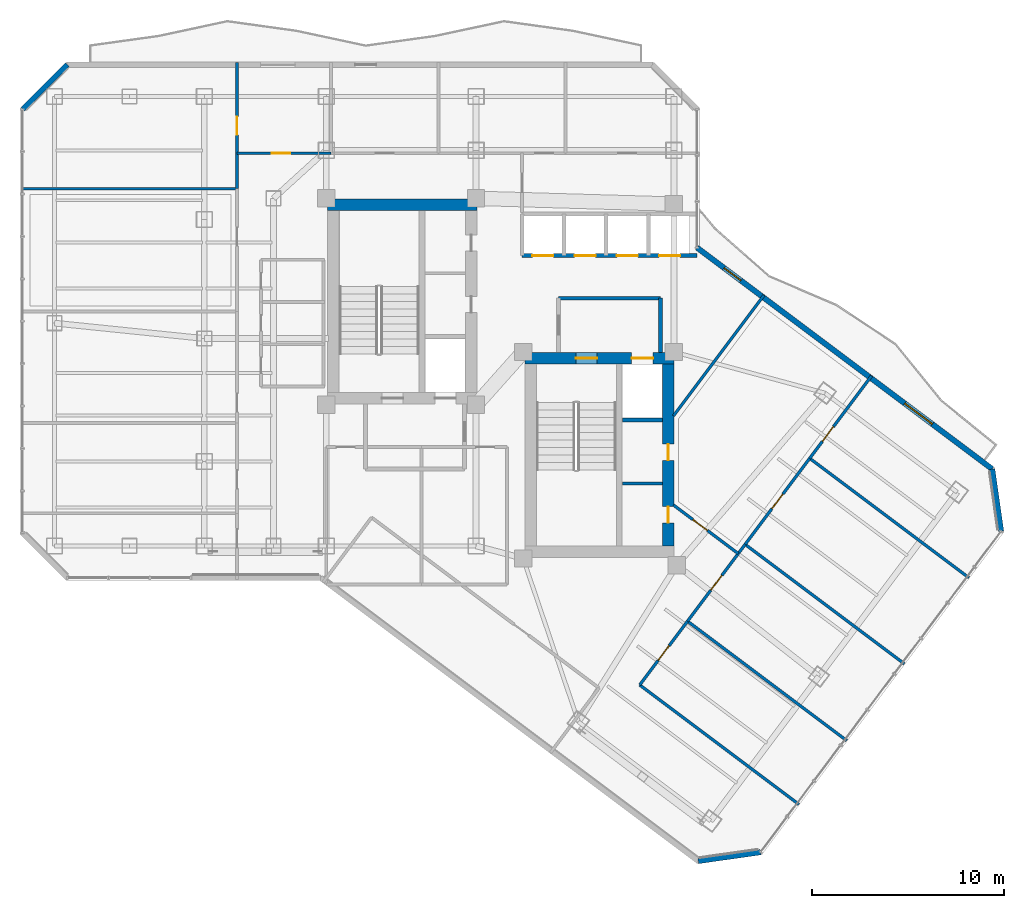
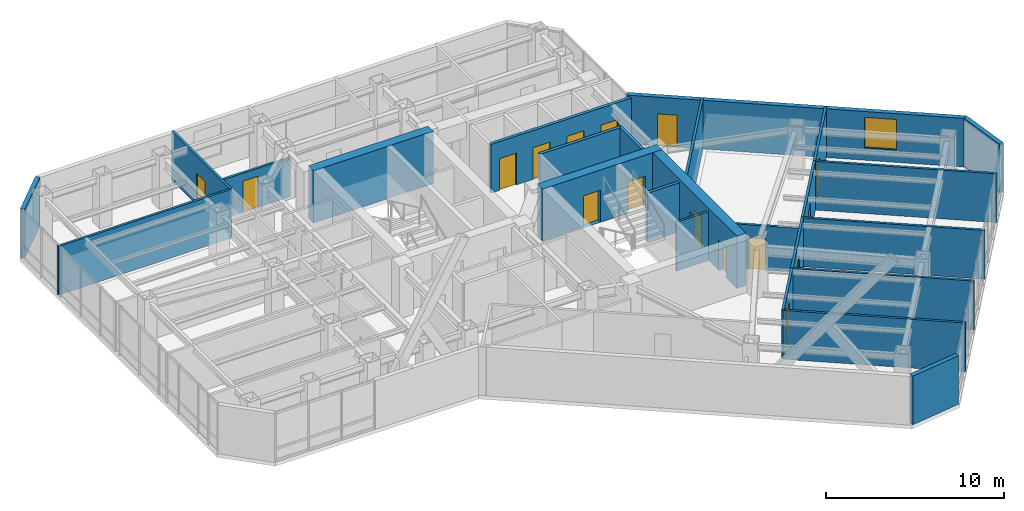
# One storey, part 23 of 27: 25 walls, 16 doors, 1 window, 17 openings.
"""IFC4 building model written with IfcOpenShell, lengths in metres."""

from ifc_helpers import new_model, si_unit, direction, frame, frame_2d, origin, place, context, subcontext, project, spatial, rectangle, extrude, material, layer, layer_set, type_object, element, fill, save


model = new_model("IFC4")

# Units and contexts
model_context = context("Model", 3, precision=1e-05, world=origin(), true_north=direction((0.0, 1.0)))
body_context = subcontext(model_context, "Body", "Model", "MODEL_VIEW")
ifc_project = project(units=[si_unit("LENGTHUNIT", "METRE"), si_unit("AREAUNIT", "SQUARE_METRE"), si_unit("VOLUMEUNIT", "CUBIC_METRE"), si_unit("PLANEANGLEUNIT", "RADIAN"), si_unit("MASSUNIT", "GRAM", prefix="KILO")], contexts=[model_context])

# Site, building, storey
site_placement = place(None, origin())
site = spatial("IfcSite", under=ifc_project, at=site_placement, CompositionType="ELEMENT")
building_placement = place(site_placement, origin())
building = spatial("IfcBuilding", under=site, at=building_placement, Name="Hatsunagi Terrace Concourse", CompositionType="ELEMENT")
storey_placement = place(building_placement, frame((0.0, 0.0, 145.64990234375)))
storey = spatial("IfcBuildingStorey", under=building, at=storey_placement, Name="L38", CompositionType="ELEMENT", Elevation=145.64990234375)

# Wall
ifc_material_1 = material(Name="Concrete Fc48", Category="concrete")
ifc_layer_1 = layer(ifc_material_1, 0.60009765625)
ifc_layer_set_1 = layer_set([ifc_layer_1], Name="CoreShearWall_Fc48_600")
wall_type_1 = type_object("IfcWallType", Name="CoreShearWall_Fc48_600", PredefinedType="SHEAR", material=ifc_layer_set_1)
wall_1_placement = place(storey_placement, frame((25.6201171875, 42.969970703125, 0.0), z_axis=(0.0, 0.0, 1.0), x_axis=(1.0, 0.0, 0.0)))
element("IfcWall", 1, at=wall_1_placement, inside=storey, type_object=wall_type_1, Name="Core A Shear Wall N L38", PredefinedType="SHEAR", context=body_context, shape_type="SweptSolid", body=[
    extrude(rectangle(XDim=7.77978515625, YDim=0.60009765625, at=frame_2d((3.889892578125, 0.0))), origin(), (0.0, 0.0, 1.0), 3.60009765625),
])

# Wall, openings, doors
wall_2_placement = place(storey_placement, frame((35.889892578125, 34.969970703125, 0.0), z_axis=(0.0, 0.0, 1.0), x_axis=(1.0, 0.0, 0.0)))
wall_2 = element("IfcWall", 2, at=wall_2_placement, inside=storey, type_object=wall_type_1, Name="Core B Shear Wall N L38", PredefinedType="SHEAR", context=body_context, shape_type="SweptSolid", body=[
    extrude(rectangle(XDim=7.760009765625, YDim=0.60009765625, at=frame_2d((3.8798828125, 0.0))), origin(), (0.0, 0.0, 1.0), 3.60009765625),
])
opening_1_placement = place(wall_2_placement, frame((2.659912109375, 0.0, 0.0)))
opening_1 = element("IfcOpeningElement", 3, at=opening_1_placement, cuts=wall_2, Name="Opening DR-110S", PredefinedType="OPENING", context=body_context, shape_type="SweptSolid", body=[
    extrude(rectangle(XDim=1.10009765625, YDim=2.199951171875, at=frame_2d((0.550048828125, 1.10009765625))), frame((0.0, 0.31005859375, 0.0), z_axis=(0.0, -1.0, 0.0), x_axis=(1.0, 0.0, 0.0)), (0.0, 0.0, 1.0), 0.6201171875),
])
opening_2_placement = place(wall_2_placement, frame((5.56005859375, 0.0, 0.0)))
opening_2 = element("IfcOpeningElement", 4, at=opening_2_placement, cuts=wall_2, Name="Opening LD-02", PredefinedType="OPENING", context=body_context, shape_type="SweptSolid", body=[
    extrude(rectangle(XDim=1.1201171875, YDim=2.14990234375, at=frame_2d((0.56005859375, 1.074951171875))), frame((0.0, 0.31005859375, 0.0), z_axis=(0.0, -1.0, 0.0), x_axis=(1.0, 0.0, 0.0)), (0.0, 0.0, 1.0), 0.6201171875),
])
ifc_material_2 = material(Name="Stainless steel", Category="steel")
door_type_1 = type_object("IfcDoorType", Name="LiftLandingDoor_LD02", OperationType="SLIDING_TO_RIGHT", PredefinedType="USERDEFINED", material=ifc_material_2)
door_1_placement = place(opening_2_placement, origin())
door_1 = element("IfcDoor", 5, at=door_1_placement, inside=storey, type_object=door_type_1, Name="Lift landing door FF-02 L38", ObjectType="SLIDING_LANDING_DOOR", OperationType="SLIDING_TO_RIGHT", OverallHeight=2.14990234375, OverallWidth=1.1201171875, PredefinedType="USERDEFINED", context=body_context, shape_type="SweptSolid", body=[
    extrude(rectangle(XDim=1.1201171875, YDim=2.14990234375, at=frame_2d((0.56005859375, 1.074951171875))), frame((0.0, 0.02490234375, 0.0), z_axis=(0.0, -1.0, 0.0), x_axis=(1.0, 0.0, 0.0)), (0.0, 0.0, 1.0), 0.050048828125),
])
fill(opening_2, door_1)
ifc_material_3 = material(Name="Painted steel", Category="steel")
door_type_2 = type_object("IfcDoorType", Name="StairFireDoor_EI60_1100", OperationType="NOTDEFINED", PredefinedType="DOOR", material=ifc_material_3)
door_2_placement = place(opening_1_placement, origin())
door_2 = element("IfcDoor", 6, at=door_2_placement, inside=storey, type_object=door_type_2, Name="Stair ST-B Exit Door L38", OperationType="SINGLE_SWING_RIGHT", OverallHeight=2.199951171875, OverallWidth=1.10009765625, PredefinedType="DOOR", context=body_context, shape_type="SweptSolid", body=[
    extrude(rectangle(XDim=1.10009765625, YDim=2.199951171875, at=frame_2d((0.550048828125, 1.10009765625))), frame((0.0, 0.02490234375, 0.0), z_axis=(0.0, -1.0, 0.0), x_axis=(1.0, 0.0, 0.0)), (0.0, 0.0, 1.0), 0.050048828125),
])
fill(opening_1, door_2)

wall_3_placement = place(storey_placement, frame((43.35009765625, 25.18994140625, 0.0), z_axis=(0.0, 0.0, 1.0), x_axis=(0.0, 1.0, 0.0)))
wall_3 = element("IfcWall", 7, at=wall_3_placement, inside=storey, type_object=wall_type_1, Name="Core B Shear Wall E L38", PredefinedType="SHEAR", context=body_context, shape_type="SweptSolid", body=[
    extrude(rectangle(XDim=9.47998046875, YDim=0.60009765625, at=frame_2d((4.739990234375, 0.0))), origin(), (0.0, 0.0, 1.0), 3.60009765625),
])
opening_3_placement = place(wall_3_placement, frame((1.2099609375, 0.0, 0.0)))
opening_3 = element("IfcOpeningElement", 8, at=opening_3_placement, cuts=wall_3, Name="Opening DR-085", PredefinedType="OPENING", context=body_context, shape_type="SweptSolid", body=[
    extrude(rectangle(XDim=0.85009765625, YDim=2.080078125, at=frame_2d((0.425048828125, 1.0400390625))), frame((0.0, 0.31005859375, 0.0), z_axis=(0.0, -1.0, 0.0), x_axis=(1.0, 0.0, 0.0)), (0.0, 0.0, 1.0), 0.6201171875),
])
opening_4_placement = place(wall_3_placement, frame((4.4599609375, 0.0, 0.0)))
opening_4 = element("IfcOpeningElement", 9, at=opening_4_placement, cuts=wall_3, Name="Opening DR-085", PredefinedType="OPENING", context=body_context, shape_type="SweptSolid", body=[
    extrude(rectangle(XDim=0.85009765625, YDim=2.080078125, at=frame_2d((0.425048828125, 1.0400390625))), frame((0.0, 0.31005859375, 0.0), z_axis=(0.0, -1.0, 0.0), x_axis=(1.0, 0.0, 0.0)), (0.0, 0.0, 1.0), 0.6201171875),
])
ifc_material_4 = material(Name="Painted steel", Category="steel")
door_type_3 = type_object("IfcDoorType", Name="RiserAccessDoor_EI60_850", OperationType="NOTDEFINED", PredefinedType="DOOR", material=ifc_material_4)
door_3_placement = place(opening_3_placement, origin())
door_3 = element("IfcDoor", 10, at=door_3_placement, inside=storey, type_object=door_type_3, Name="Core B Riser Door L38-1", OperationType="SINGLE_SWING_RIGHT", OverallHeight=2.080078125, OverallWidth=0.85009765625, PredefinedType="DOOR", context=body_context, shape_type="SweptSolid", body=[
    extrude(rectangle(XDim=0.85009765625, YDim=2.080078125, at=frame_2d((0.425048828125, 1.0400390625))), frame((0.0, 0.02490234375, 0.0), z_axis=(0.0, -1.0, 0.0), x_axis=(1.0, 0.0, 0.0)), (0.0, 0.0, 1.0), 0.050048828125),
])
fill(opening_3, door_3)
door_4_placement = place(opening_4_placement, origin())
door_4 = element("IfcDoor", 11, at=door_4_placement, inside=storey, type_object=door_type_3, Name="Core B Riser Door L38-2", OperationType="SINGLE_SWING_RIGHT", OverallHeight=2.080078125, OverallWidth=0.85009765625, PredefinedType="DOOR", context=body_context, shape_type="SweptSolid", body=[
    extrude(rectangle(XDim=0.85009765625, YDim=2.080078125, at=frame_2d((0.425048828125, 1.0400390625))), frame((0.0, 0.02490234375, 0.0), z_axis=(0.0, -1.0, 0.0), x_axis=(1.0, 0.0, 0.0)), (0.0, 0.0, 1.0), 0.050048828125),
])
fill(opening_4, door_4)

# Walls
ifc_material_5 = material(Name="Acoustic mineral board", Category="gypsum")
ifc_layer_2 = layer(ifc_material_5, 0.14990234375)
ifc_layer_set_2 = layer_set([ifc_layer_2], Name="PartitionWall_EI60_150")
wall_type_2 = type_object("IfcWallType", Name="PartitionWall_EI60_150", PredefinedType="PARTITIONING", material=ifc_layer_set_2)
wall_4_placement = place(storey_placement, frame((40.969970703125, 28.449951171875, 0.0), z_axis=(0.0, 0.0, 1.0), x_axis=(1.0, 0.0, 0.0)))
element("IfcWall", 12, at=wall_4_placement, inside=storey, type_object=wall_type_2, Name="Interior Partition IW-L38-004", PredefinedType="PARTITIONING", context=body_context, shape_type="SweptSolid", body=[
    extrude(rectangle(XDim=2.080078125, YDim=0.14990234375, at=frame_2d((1.0400390625, 0.0))), origin(), (0.0, 0.0, 1.0), 3.35009765625),
])
wall_5_placement = place(storey_placement, frame((9.639892578125, 43.800048828125, 0.0), z_axis=(0.0, 0.0, 1.0), x_axis=(1.0, 0.0, 0.0)))
element("IfcWall", 13, at=wall_5_placement, inside=storey, type_object=wall_type_2, Name="Interior Partition IW-L38-038", PredefinedType="PARTITIONING", context=body_context, shape_type="SweptSolid", body=[
    extrude(rectangle(XDim=11.260009765625, YDim=0.14990234375, at=frame_2d((5.6298828125, 0.0))), origin(), (0.0, 0.0, 1.0), 3.35009765625),
])

# Wall, opening, door
wall_6_placement = place(storey_placement, frame((20.89990234375, 43.800048828125, 0.0), z_axis=(0.0, 0.0, 1.0), x_axis=(0.0, 1.0, 0.0)))
wall_6 = element("IfcWall", 14, at=wall_6_placement, inside=storey, type_object=wall_type_2, Name="Interior Partition IW-L38-040", PredefinedType="PARTITIONING", context=body_context, shape_type="SweptSolid", body=[
    extrude(rectangle(XDim=6.56005859375, YDim=0.14990234375, at=frame_2d((3.280029296875, 0.0))), origin(), (0.0, 0.0, 1.0), 3.35009765625),
])
opening_5_placement = place(wall_6_placement, frame((2.804931640625, 0.0, 0.0)))
opening_5 = element("IfcOpeningElement", 15, at=opening_5_placement, cuts=wall_6, Name="Opening DR-095", PredefinedType="OPENING", context=body_context, shape_type="SweptSolid", body=[
    extrude(rectangle(XDim=0.949951171875, YDim=2.14990234375, at=frame_2d((0.47509765625, 1.074951171875))), frame((0.0, 0.0849609375, 0.0), z_axis=(0.0, -1.0, 0.0), x_axis=(1.0, 0.0, 0.0)), (0.0, 0.0, 1.0), 0.169921875),
])
ifc_material_6 = material(Name="Hardwood timber", Category="wood")
door_type_4 = type_object("IfcDoorType", Name="InteriorSuiteDoor_EI30_950", OperationType="NOTDEFINED", PredefinedType="DOOR", material=ifc_material_6)
door_5_placement = place(opening_5_placement, origin())
door_5 = element("IfcDoor", 16, at=door_5_placement, inside=storey, type_object=door_type_4, Name="Team Innovation Studio L38-OW5 Door", OperationType="SINGLE_SWING_RIGHT", OverallHeight=2.14990234375, OverallWidth=0.949951171875, PredefinedType="DOOR", context=body_context, shape_type="SweptSolid", body=[
    extrude(rectangle(XDim=0.949951171875, YDim=2.14990234375, at=frame_2d((0.47509765625, 1.074951171875))), frame((0.0, 0.02490234375, 0.0), z_axis=(0.0, -1.0, 0.0), x_axis=(1.0, 0.0, 0.0)), (0.0, 0.0, 1.0), 0.050048828125),
])
fill(opening_5, door_5)

wall_7_placement = place(storey_placement, frame((20.89990234375, 45.64990234375, 0.0), z_axis=(0.0, 0.0, 1.0), x_axis=(1.0, 0.0, 0.0)))
wall_7 = element("IfcWall", 17, at=wall_7_placement, inside=storey, type_object=wall_type_2, Name="Interior Partition IW-L38-041", PredefinedType="PARTITIONING", context=body_context, shape_type="SweptSolid", body=[
    extrude(rectangle(XDim=4.900146484375, YDim=0.14990234375, at=frame_2d((2.4501953125, 0.0))), origin(), (0.0, 0.0, 1.0), 2.695068359375),
])
opening_6_placement = place(wall_7_placement, frame((1.81591796875, 0.0, 0.0)))
opening_6 = element("IfcOpeningElement", 18, at=opening_6_placement, cuts=wall_7, Name="Opening DR-095", PredefinedType="OPENING", context=body_context, shape_type="SweptSolid", body=[
    extrude(rectangle(XDim=0.949951171875, YDim=2.14990234375, at=frame_2d((0.47509765625, 1.074951171875))), frame((0.0, 0.0849609375, 0.0), z_axis=(0.0, -1.0, 0.0), x_axis=(1.0, 0.0, 0.0)), (0.0, 0.0, 1.0), 0.169921875),
])
door_6_placement = place(opening_6_placement, origin())
door_6 = element("IfcDoor", 19, at=door_6_placement, inside=storey, type_object=door_type_4, Name="Executive Briefing Room L38-ON1 Door", OperationType="SINGLE_SWING_LEFT", OverallHeight=2.14990234375, OverallWidth=0.949951171875, PredefinedType="DOOR", context=body_context, shape_type="SweptSolid", body=[
    extrude(rectangle(XDim=0.949951171875, YDim=2.14990234375, at=frame_2d((0.47509765625, 1.074951171875))), frame((0.0, 0.02490234375, 0.0), z_axis=(0.0, -1.0, 0.0), x_axis=(1.0, 0.0, 0.0)), (0.0, 0.0, 1.0), 0.050048828125),
])
fill(opening_6, door_6)

# Walls
for number, where, z_axis, x_axis, name in (
    (20, (41.8701171875, 17.9599609375, 0.0), (0.0, 0.0, 1.0), (0.799991516197, -0.600011311571, 0.0), "Interior Partition IW-L38-048"),
    (21, (44.360107421875, 21.280029296875, 0.0), (0.0, 0.0, 1.0), (0.799991516197, -0.600011311571, 0.0), "Interior Partition IW-L38-049"),
):
    element("IfcWall", number, at=place(storey_placement, frame(where, z_axis=z_axis, x_axis=x_axis)), inside=storey, type_object=wall_type_2, Name=name, PredefinedType="PARTITIONING", context=body_context, shape_type="SweptSolid", body=[
        extrude(rectangle(XDim=10.35986328125, YDim=0.14990234375, at=frame_2d((5.179931640625, 0.0))), origin(), (0.0, 0.0, 1.0), 3.35009765625),
    ])

# Wall, opening, door
wall_8_placement = place(storey_placement, frame((41.8701171875, 17.9599609375, 0.0), z_axis=(0.0, 0.0, 1.0), x_axis=(0.599990587419, 0.80000705935, 0.0)))
wall_8 = element("IfcWall", 22, at=wall_8_placement, inside=storey, type_object=wall_type_2, Name="Interior Partition IW-L38-050", PredefinedType="PARTITIONING", context=body_context, shape_type="SweptSolid", body=[
    extrude(rectangle(XDim=4.150146484375, YDim=0.14990234375, at=frame_2d((2.0751953125, 0.0))), origin(), (0.0, 0.0, 1.0), 3.35009765625),
])
opening_7_placement = place(wall_8_placement, frame((1.60009765625, 0.0, 0.0)))
opening_7 = element("IfcOpeningElement", 23, at=opening_7_placement, cuts=wall_8, Name="Opening DR-095", PredefinedType="OPENING", context=body_context, shape_type="SweptSolid", body=[
    extrude(rectangle(XDim=0.949951171875, YDim=2.14990234375, at=frame_2d((0.47509765625, 1.074951171875))), frame((0.0, 0.0849609375, 0.0), z_axis=(0.0, -1.0, 0.0), x_axis=(1.0, 0.0, 0.0)), (0.0, 0.0, 1.0), 0.169921875),
])
door_7_placement = place(opening_7_placement, origin())
door_7 = element("IfcDoor", 24, at=door_7_placement, inside=storey, type_object=door_type_4, Name="Focus Room L38-OSE1 Door", OperationType="SINGLE_SWING_RIGHT", OverallHeight=2.14990234375, OverallWidth=0.949951171875, PredefinedType="DOOR", context=body_context, shape_type="SweptSolid", body=[
    extrude(rectangle(XDim=0.949951171875, YDim=2.14990234375, at=frame_2d((0.47509765625, 1.074951171875))), frame((0.0, 0.02490234375, 0.0), z_axis=(0.0, -1.0, 0.0), x_axis=(1.0, 0.0, 0.0)), (0.0, 0.0, 1.0), 0.050048828125),
])
fill(opening_7, door_7)

# Wall
wall_9_placement = place(storey_placement, frame((47.360107421875, 25.280029296875, 0.0), z_axis=(0.0, 0.0, 1.0), x_axis=(0.799991516197, -0.600011311571, 0.0)))
element("IfcWall", 25, at=wall_9_placement, inside=storey, type_object=wall_type_2, Name="Interior Partition IW-L38-051", PredefinedType="PARTITIONING", context=body_context, shape_type="SweptSolid", body=[
    extrude(rectangle(XDim=10.35986328125, YDim=0.14990234375, at=frame_2d((5.179931640625, 0.0))), origin(), (0.0, 0.0, 1.0), 3.35009765625),
])

# Wall, opening, door
wall_10_placement = place(storey_placement, frame((44.360107421875, 21.280029296875, 0.0), z_axis=(0.0, 0.0, 1.0), x_axis=(0.6, 0.8, 0.0)))
wall_10 = element("IfcWall", 26, at=wall_10_placement, inside=storey, type_object=wall_type_2, Name="Interior Partition IW-L38-052", PredefinedType="PARTITIONING", context=body_context, shape_type="SweptSolid", body=[
    extrude(rectangle(XDim=5.0, YDim=0.14990234375, at=frame_2d((2.5, 0.0))), origin(), (0.0, 0.0, 1.0), 3.35009765625),
])
opening_8_placement = place(wall_10_placement, frame((2.02490234375, 0.0, 0.0)))
opening_8 = element("IfcOpeningElement", 27, at=opening_8_placement, cuts=wall_10, Name="Opening DR-095", PredefinedType="OPENING", context=body_context, shape_type="SweptSolid", body=[
    extrude(rectangle(XDim=0.949951171875, YDim=2.14990234375, at=frame_2d((0.47509765625, 1.074951171875))), frame((0.0, 0.0849609375, 0.0), z_axis=(0.0, -1.0, 0.0), x_axis=(1.0, 0.0, 0.0)), (0.0, 0.0, 1.0), 0.169921875),
])
door_8_placement = place(opening_8_placement, origin())
door_8 = element("IfcDoor", 28, at=door_8_placement, inside=storey, type_object=door_type_4, Name="Executive Office L38-OSE2 Door", OperationType="SINGLE_SWING_RIGHT", OverallHeight=2.14990234375, OverallWidth=0.949951171875, PredefinedType="DOOR", context=body_context, shape_type="SweptSolid", body=[
    extrude(rectangle(XDim=0.949951171875, YDim=2.14990234375, at=frame_2d((0.47509765625, 1.074951171875))), frame((0.0, 0.02490234375, 0.0), z_axis=(0.0, -1.0, 0.0), x_axis=(1.0, 0.0, 0.0)), (0.0, 0.0, 1.0), 0.050048828125),
])
fill(opening_8, door_8)

# Wall
wall_11_placement = place(storey_placement, frame((50.719970703125, 29.760009765625, 0.0), z_axis=(0.0, 0.0, 1.0), x_axis=(0.8, -0.6, 0.0)))
element("IfcWall", 29, at=wall_11_placement, inside=storey, type_object=wall_type_2, Name="Interior Partition IW-L38-053", PredefinedType="PARTITIONING", context=body_context, shape_type="SweptSolid", body=[
    extrude(rectangle(XDim=10.360107421875, YDim=0.14990234375, at=frame_2d((5.18017578125, 0.0))), origin(), (0.0, 0.0, 1.0), 3.35009765625),
])

# Wall, opening, door
wall_12_placement = place(storey_placement, frame((47.360107421875, 25.280029296875, 0.0), z_axis=(0.0, 0.0, 1.0), x_axis=(0.599986048773, 0.80001046323, 0.0)))
wall_12 = element("IfcWall", 30, at=wall_12_placement, inside=storey, type_object=wall_type_2, Name="Interior Partition IW-L38-054", PredefinedType="PARTITIONING", context=body_context, shape_type="SweptSolid", body=[
    extrude(rectangle(XDim=5.599853515625, YDim=0.14990234375, at=frame_2d((2.7998046875, 0.0))), origin(), (0.0, 0.0, 1.0), 3.35009765625),
])
opening_9_placement = place(wall_12_placement, frame((2.324951171875, 0.0, 0.0)))
opening_9 = element("IfcOpeningElement", 31, at=opening_9_placement, cuts=wall_12, Name="Opening DR-095", PredefinedType="OPENING", context=body_context, shape_type="SweptSolid", body=[
    extrude(rectangle(XDim=0.949951171875, YDim=2.14990234375, at=frame_2d((0.47509765625, 1.074951171875))), frame((0.0, 0.0849609375, 0.0), z_axis=(0.0, -1.0, 0.0), x_axis=(1.0, 0.0, 0.0)), (0.0, 0.0, 1.0), 0.169921875),
])
door_9_placement = place(opening_9_placement, origin())
door_9 = element("IfcDoor", 32, at=door_9_placement, inside=storey, type_object=door_type_4, Name="Meeting Room L38-OSE3 Door", OperationType="SINGLE_SWING_RIGHT", OverallHeight=2.14990234375, OverallWidth=0.949951171875, PredefinedType="DOOR", context=body_context, shape_type="SweptSolid", body=[
    extrude(rectangle(XDim=0.949951171875, YDim=2.14990234375, at=frame_2d((0.47509765625, 1.074951171875))), frame((0.0, 0.02490234375, 0.0), z_axis=(0.0, -1.0, 0.0), x_axis=(1.0, 0.0, 0.0)), (0.0, 0.0, 1.0), 0.050048828125),
])
fill(opening_9, door_9)

wall_13_placement = place(storey_placement, frame((50.719970703125, 29.760009765625, 0.0), z_axis=(0.0, 0.0, 1.0), x_axis=(0.6, 0.8, 0.0)))
wall_13 = element("IfcWall", 33, at=wall_13_placement, inside=storey, type_object=wall_type_2, Name="Interior Partition IW-L38-055", PredefinedType="PARTITIONING", context=body_context, shape_type="SweptSolid", body=[
    extrude(rectangle(XDim=5.360107421875, YDim=0.14990234375, at=frame_2d((2.68017578125, 0.0))), origin(), (0.0, 0.0, 1.0), 3.35009765625),
])
opening_10_placement = place(wall_13_placement, frame((1.110107421875, 0.0, 0.0)))
opening_10 = element("IfcOpeningElement", 34, at=opening_10_placement, cuts=wall_13, Name="Opening DR-095", PredefinedType="OPENING", context=body_context, shape_type="SweptSolid", body=[
    extrude(rectangle(XDim=0.949951171875, YDim=2.14990234375, at=frame_2d((0.47509765625, 1.074951171875))), frame((0.0, 0.0849609375, 0.0), z_axis=(0.0, -1.0, 0.0), x_axis=(1.0, 0.0, 0.0)), (0.0, 0.0, 1.0), 0.169921875),
])
door_10_placement = place(opening_10_placement, origin())
door_10 = element("IfcDoor", 35, at=door_10_placement, inside=storey, type_object=door_type_4, Name="Design Studio L38-OSE4 Door", OperationType="SINGLE_SWING_RIGHT", OverallHeight=2.14990234375, OverallWidth=0.949951171875, PredefinedType="DOOR", context=body_context, shape_type="SweptSolid", body=[
    extrude(rectangle(XDim=0.949951171875, YDim=2.14990234375, at=frame_2d((0.47509765625, 1.074951171875))), frame((0.0, 0.02490234375, 0.0), z_axis=(0.0, -1.0, 0.0), x_axis=(1.0, 0.0, 0.0)), (0.0, 0.0, 1.0), 0.050048828125),
])
fill(opening_10, door_10)

wall_14_placement = place(storey_placement, frame((43.6298828125, 27.327880859375, 0.0), z_axis=(0.0, 0.0, 1.0), x_axis=(0.799972182084, -0.600037088764, 0.0)))
wall_14 = element("IfcWall", 36, at=wall_14_placement, inside=storey, type_object=wall_type_2, Name="Interior Partition IW-L38-056", PredefinedType="PARTITIONING", context=body_context, shape_type="SweptSolid", body=[
    extrude(rectangle(XDim=4.212890625, YDim=0.14990234375, at=frame_2d((2.1064453125, 0.0))), origin(), (0.0, 0.0, 1.0), 3.045166015625),
])
opening_11_placement = place(wall_14_placement, frame((1.256103515625, 0.0, 0.0)))
opening_11 = element("IfcOpeningElement", 37, at=opening_11_placement, cuts=wall_14, Name="Opening DR-095", PredefinedType="OPENING", context=body_context, shape_type="SweptSolid", body=[
    extrude(rectangle(XDim=0.949951171875, YDim=2.14990234375, at=frame_2d((0.47509765625, 1.074951171875))), frame((0.0, 0.0849609375, 0.0), z_axis=(0.0, -1.0, 0.0), x_axis=(1.0, 0.0, 0.0)), (0.0, 0.0, 1.0), 0.169921875),
])
door_11_placement = place(opening_11_placement, origin())
door_11 = element("IfcDoor", 38, at=door_11_placement, inside=storey, type_object=door_type_4, Name="Collaboration Lounge L38-OSEN0 Door", OperationType="SINGLE_SWING_LEFT", OverallHeight=2.14990234375, OverallWidth=0.949951171875, PredefinedType="DOOR", context=body_context, shape_type="SweptSolid", body=[
    extrude(rectangle(XDim=0.949951171875, YDim=2.14990234375, at=frame_2d((0.47509765625, 1.074951171875))), frame((0.0, 0.02490234375, 0.0), z_axis=(0.0, -1.0, 0.0), x_axis=(1.0, 0.0, 0.0)), (0.0, 0.0, 1.0), 0.050048828125),
])
fill(opening_11, door_11)

# Walls
wall_15_placement = place(storey_placement, frame((43.6298828125, 31.972900390625, 0.0), z_axis=(0.0, 0.0, 1.0), x_axis=(0.599975099311, 0.800018674911, 0.0)))
element("IfcWall", 39, at=wall_15_placement, inside=storey, type_object=wall_type_2, Name="Interior Partition IW-L38-057", PredefinedType="PARTITIONING", context=body_context, shape_type="SweptSolid", body=[
    extrude(rectangle(XDim=7.84375, YDim=0.14990234375, at=frame_2d((3.921875, 0.0))), origin(), (0.0, 0.0, 1.0), 3.35009765625),
])
ifc_material_7 = material(Name="Acoustic mineral board", Category="gypsum")
ifc_layer_3 = layer(ifc_material_7, 0.199951171875)
ifc_layer_set_3 = layer_set([ifc_layer_3], Name="ShaftWall_EI120_200")
wall_type_3 = type_object("IfcWallType", Name="ShaftWall_EI120_200", PredefinedType="STANDARD", material=ifc_layer_set_3)
wall_16_placement = place(storey_placement, frame((40.969970703125, 31.760009765625, 0.0), z_axis=(0.0, 0.0, 1.0), x_axis=(1.0, 0.0, 0.0)))
element("IfcWall", 40, at=wall_16_placement, inside=storey, type_object=wall_type_3, Name="Interior Partition IW-L38-003", PredefinedType="STANDARD", context=body_context, shape_type="SweptSolid", body=[
    extrude(rectangle(XDim=2.080078125, YDim=0.199951171875, at=frame_2d((1.0400390625, 0.0))), origin(), (0.0, 0.0, 1.0), 3.35009765625),
])
wall_17_placement = place(storey_placement, frame((37.64990234375, 38.10009765625, 0.0), z_axis=(0.0, 0.0, 1.0), x_axis=(1.0, 0.0, 0.0)))
element("IfcWall", 41, at=wall_17_placement, inside=storey, type_object=wall_type_3, Name="Interior Partition IW-L38-008", PredefinedType="STANDARD", context=body_context, shape_type="SweptSolid", body=[
    extrude(rectangle(XDim=5.300048828125, YDim=0.199951171875, at=frame_2d((2.64990234375, 0.0))), origin(), (0.0, 0.0, 1.0), 3.35009765625),
])
wall_18_placement = place(storey_placement, frame((42.949951171875, 35.27001953125, 0.0), z_axis=(0.0, 0.0, 1.0), x_axis=(0.0, 1.0, 0.0)))
element("IfcWall", 42, at=wall_18_placement, inside=storey, type_object=wall_type_3, Name="Interior Partition IW-L38-009", PredefinedType="STANDARD", context=body_context, shape_type="SweptSolid", body=[
    extrude(rectangle(XDim=2.830078125, YDim=0.199951171875, at=frame_2d((1.4150390625, 0.0))), origin(), (0.0, 0.0, 1.0), 3.35009765625),
])

# Wall, openings, doors
wall_19_placement = place(storey_placement, frame((35.75, 40.320068359375, 0.0), z_axis=(0.0, 0.0, 1.0), x_axis=(1.0, 0.0, 0.0)))
wall_19 = element("IfcWall", 43, at=wall_19_placement, inside=storey, type_object=wall_type_3, Name="Interior Partition IW-L38-016", PredefinedType="STANDARD", context=body_context, shape_type="SweptSolid", body=[
    extrude(rectangle(XDim=9.110107421875, YDim=0.199951171875, at=frame_2d((4.55517578125, 0.0))), origin(), (0.0, 0.0, 1.0), 3.35009765625),
])
opening_12_placement = place(wall_19_placement, frame((0.530029296875, 0.0, 0.0)))
opening_12 = element("IfcOpeningElement", 44, at=opening_12_placement, cuts=wall_19, Name="Opening LD-04", PredefinedType="OPENING", context=body_context, shape_type="SweptSolid", body=[
    extrude(rectangle(XDim=1.10009765625, YDim=2.179931640625, at=frame_2d((0.550048828125, 1.08984375))), frame((0.0, 0.10986328125, 0.0), z_axis=(0.0, -1.0, 0.0), x_axis=(1.0, 0.0, 0.0)), (0.0, 0.0, 1.0), 0.219970703125),
])
opening_13_placement = place(wall_19_placement, frame((2.72998046875, 0.0, 0.0)))
opening_13 = element("IfcOpeningElement", 45, at=opening_13_placement, cuts=wall_19, Name="Opening LD-04", PredefinedType="OPENING", context=body_context, shape_type="SweptSolid", body=[
    extrude(rectangle(XDim=1.10009765625, YDim=2.179931640625, at=frame_2d((0.550048828125, 1.08984375))), frame((0.0, 0.10986328125, 0.0), z_axis=(0.0, -1.0, 0.0), x_axis=(1.0, 0.0, 0.0)), (0.0, 0.0, 1.0), 0.219970703125),
])
opening_14_placement = place(wall_19_placement, frame((4.929931640625, 0.0, 0.0)))
opening_14 = element("IfcOpeningElement", 46, at=opening_14_placement, cuts=wall_19, Name="Opening LD-04", PredefinedType="OPENING", context=body_context, shape_type="SweptSolid", body=[
    extrude(rectangle(XDim=1.10009765625, YDim=2.179931640625, at=frame_2d((0.550048828125, 1.08984375))), frame((0.0, 0.10986328125, 0.0), z_axis=(0.0, -1.0, 0.0), x_axis=(1.0, 0.0, 0.0)), (0.0, 0.0, 1.0), 0.219970703125),
])
opening_15_placement = place(wall_19_placement, frame((7.1298828125, 0.0, 0.0)))
opening_15 = element("IfcOpeningElement", 47, at=opening_15_placement, cuts=wall_19, Name="Opening LD-04", PredefinedType="OPENING", context=body_context, shape_type="SweptSolid", body=[
    extrude(rectangle(XDim=1.10009765625, YDim=2.179931640625, at=frame_2d((0.550048828125, 1.08984375))), frame((0.0, 0.10986328125, 0.0), z_axis=(0.0, -1.0, 0.0), x_axis=(1.0, 0.0, 0.0)), (0.0, 0.0, 1.0), 0.219970703125),
])
ifc_material_8 = material(Name="Stainless steel", Category="steel")
door_type_5 = type_object("IfcDoorType", Name="LiftLandingDoor_LD04", OperationType="SLIDING_TO_RIGHT", PredefinedType="USERDEFINED", material=ifc_material_8)
door_12_placement = place(opening_12_placement, origin())
door_12 = element("IfcDoor", 48, at=door_12_placement, inside=storey, type_object=door_type_5, Name="Lift landing door PL-05 L38", ObjectType="SLIDING_LANDING_DOOR", OperationType="SLIDING_TO_RIGHT", OverallHeight=2.179931640625, OverallWidth=1.10009765625, PredefinedType="USERDEFINED", context=body_context, shape_type="SweptSolid", body=[
    extrude(rectangle(XDim=1.10009765625, YDim=2.179931640625, at=frame_2d((0.550048828125, 1.08984375))), frame((0.0, 0.02490234375, 0.0), z_axis=(0.0, -1.0, 0.0), x_axis=(1.0, 0.0, 0.0)), (0.0, 0.0, 1.0), 0.050048828125),
])
fill(opening_12, door_12)
door_13_placement = place(opening_13_placement, origin())
door_13 = element("IfcDoor", 49, at=door_13_placement, inside=storey, type_object=door_type_5, Name="Lift landing door PL-06 L38", ObjectType="SLIDING_LANDING_DOOR", OperationType="SLIDING_TO_RIGHT", OverallHeight=2.179931640625, OverallWidth=1.10009765625, PredefinedType="USERDEFINED", context=body_context, shape_type="SweptSolid", body=[
    extrude(rectangle(XDim=1.10009765625, YDim=2.179931640625, at=frame_2d((0.550048828125, 1.08984375))), frame((0.0, 0.02490234375, 0.0), z_axis=(0.0, -1.0, 0.0), x_axis=(1.0, 0.0, 0.0)), (0.0, 0.0, 1.0), 0.050048828125),
])
fill(opening_13, door_13)
door_14_placement = place(opening_14_placement, origin())
door_14 = element("IfcDoor", 50, at=door_14_placement, inside=storey, type_object=door_type_5, Name="Lift landing door PL-07 L38", ObjectType="SLIDING_LANDING_DOOR", OperationType="SLIDING_TO_RIGHT", OverallHeight=2.179931640625, OverallWidth=1.10009765625, PredefinedType="USERDEFINED", context=body_context, shape_type="SweptSolid", body=[
    extrude(rectangle(XDim=1.10009765625, YDim=2.179931640625, at=frame_2d((0.550048828125, 1.08984375))), frame((0.0, 0.02490234375, 0.0), z_axis=(0.0, -1.0, 0.0), x_axis=(1.0, 0.0, 0.0)), (0.0, 0.0, 1.0), 0.050048828125),
])
fill(opening_14, door_14)
door_15_placement = place(opening_15_placement, origin())
door_15 = element("IfcDoor", 51, at=door_15_placement, inside=storey, type_object=door_type_5, Name="Lift landing door PL-08 L38", ObjectType="SLIDING_LANDING_DOOR", OperationType="SLIDING_TO_RIGHT", OverallHeight=2.179931640625, OverallWidth=1.10009765625, PredefinedType="USERDEFINED", context=body_context, shape_type="SweptSolid", body=[
    extrude(rectangle(XDim=1.10009765625, YDim=2.179931640625, at=frame_2d((0.550048828125, 1.08984375))), frame((0.0, 0.02490234375, 0.0), z_axis=(0.0, -1.0, 0.0), x_axis=(1.0, 0.0, 0.0)), (0.0, 0.0, 1.0), 0.050048828125),
])
fill(opening_15, door_15)

# Wall, openings, door, window
ifc_material_9 = material(Name="Autoclaved Lightweight Concrete and Terracotta Cladding", Category="masonry")
ifc_layer_4 = layer(ifc_material_9, 0.280029296875)
ifc_layer_set_4 = layer_set([ifc_layer_4], Name="TerracottaSpandrelWall_280")
wall_type_4 = type_object("IfcWallType", Name="TerracottaSpandrelWall_280", PredefinedType="STANDARD", material=ifc_layer_set_4)
wall_20_placement = place(storey_placement, frame((44.860107421875, 40.72998046875, 0.0), z_axis=(0.0, 0.0, 1.0), x_axis=(0.800007624502, -0.599989833863, 0.0)))
wall_20 = element("IfcWall", 52, at=wall_20_placement, inside=storey, type_object=wall_type_4, Name="Exterior Spandrel Wall EW-L38-01", PredefinedType="STANDARD", context=body_context, shape_type="SweptSolid", body=[
    extrude(rectangle(XDim=19.212158203125, YDim=0.280029296875, at=frame_2d((9.60595703125, 0.0))), origin(), (0.0, 0.0, 1.0), 3.35009765625),
])
opening_16_placement = place(wall_20_placement, frame((1.7548828125, 0.0, 0.0)))
opening_16 = element("IfcOpeningElement", 53, at=opening_16_placement, cuts=wall_20, Name="Opening BD-01", PredefinedType="OPENING", context=body_context, shape_type="SweptSolid", body=[
    extrude(rectangle(XDim=1.10009765625, YDim=2.199951171875, at=frame_2d((0.550048828125, 1.10009765625))), frame((0.0, 0.14990234375, 0.0), z_axis=(0.0, -1.0, 0.0), x_axis=(1.0, 0.0, 0.0)), (0.0, 0.0, 1.0), 0.300048828125),
])
opening_17_placement = place(wall_20_placement, frame((13.509033203125, 0.0, 0.85009765625)))
opening_17 = element("IfcOpeningElement", 54, at=opening_17_placement, cuts=wall_20, Name="Opening WIN-03", PredefinedType="OPENING", context=body_context, shape_type="SweptSolid", body=[
    extrude(rectangle(XDim=1.800048828125, YDim=2.10009765625, at=frame_2d((0.89990234375, 1.050048828125))), frame((0.0, 0.14990234375, 0.0), z_axis=(0.0, -1.0, 0.0), x_axis=(1.0, 0.0, 0.0)), (0.0, 0.0, 1.0), 0.300048828125),
])
ifc_material_10 = material(Name="Galvanised Steel and Laminated Safety Glass", Category="steel")
door_type_6 = type_object("IfcDoorType", Name="BalconyTerraceAccessDoor_1100x2200", OperationType="SINGLE_SWING_LEFT", PredefinedType="DOOR", material=ifc_material_10)
door_16_placement = place(opening_16_placement, origin())
door_16 = element("IfcDoor", 55, at=door_16_placement, inside=storey, type_object=door_type_6, Name="Engawa Balcony Door L38-BSE", OperationType="SINGLE_SWING_LEFT", OverallHeight=2.199951171875, OverallWidth=1.10009765625, PredefinedType="DOOR", context=body_context, shape_type="SweptSolid", body=[
    extrude(rectangle(XDim=1.10009765625, YDim=2.199951171875, at=frame_2d((0.550048828125, 1.10009765625))), frame((0.0, 0.02490234375, 0.0), z_axis=(0.0, -1.0, 0.0), x_axis=(1.0, 0.0, 0.0)), (0.0, 0.0, 1.0), 0.050048828125),
])
fill(opening_16, door_16)
ifc_material_11 = material(Name="Thermally Broken Aluminium and Low-E Triple Glazing", Category="aluminium")
window_type = type_object("IfcWindowType", Name="OfficeCornerFeatureWindow_1800x2100", PartitioningType="SINGLE_PANEL", PredefinedType="WINDOW", material=ifc_material_11)
window_placement = place(opening_17_placement, origin())
window = element("IfcWindow", 56, at=window_placement, inside=storey, type_object=window_type, Name="Balcony Daylighting Window L38-01-2", OverallHeight=2.10009765625, OverallWidth=1.800048828125, PartitioningType="SINGLE_PANEL", PredefinedType="WINDOW", context=body_context, shape_type="SweptSolid", body=[
    extrude(rectangle(XDim=1.800048828125, YDim=2.10009765625, at=frame_2d((0.89990234375, 1.050048828125))), frame((0.0, 0.030029296875, 0.0), z_axis=(0.0, -1.0, 0.0), x_axis=(1.0, 0.0, 0.0)), (0.0, 0.0, 1.0), 0.06005859375),
])
fill(opening_17, window)

# Walls
wall_21_placement = place(storey_placement, frame((60.22998046875, 29.202880859375, 0.0), z_axis=(0.0, 0.0, 1.0), x_axis=(0.141296221922, -0.989967361922, 0.0)))
element("IfcWall", 57, at=wall_21_placement, inside=storey, type_object=wall_type_4, Name="Exterior Spandrel Wall EW-L38-02", PredefinedType="STANDARD", context=body_context, shape_type="SweptSolid", body=[
    extrude(rectangle(XDim=3.27783203125, YDim=0.280029296875, at=frame_2d((1.638916015625, 0.0))), origin(), (0.0, 0.0, 1.0), 3.35009765625),
])
wall_22_placement = place(storey_placement, frame((48.1630859375, 9.25, 0.0), z_axis=(0.0, 0.0, 1.0), x_axis=(-0.989979263428, -0.141212810973, 0.0)))
element("IfcWall", 58, at=wall_22_placement, inside=storey, type_object=wall_type_4, Name="Exterior Spandrel Wall EW-L38-04", PredefinedType="STANDARD", context=body_context, shape_type="SweptSolid", body=[
    extrude(rectangle(XDim=3.278076171875, YDim=0.280029296875, at=frame_2d((1.63916015625, 0.0))), origin(), (0.0, 0.0, 1.0), 3.35009765625),
])
wall_23_placement = place(storey_placement, frame((9.739990234375, 47.94189453125, 0.0), z_axis=(0.0, 0.0, 1.0), x_axis=(0.707106781187, 0.707106781187, 0.0)))
element("IfcWall", 59, at=wall_23_placement, inside=storey, type_object=wall_type_4, Name="Exterior Spandrel Wall EW-L38-10", PredefinedType="STANDARD", context=body_context, shape_type="SweptSolid", body=[
    extrude(rectangle(XDim=3.2783203125, YDim=0.280029296875, at=frame_2d((1.63916015625, 0.0))), origin(), (0.0, 0.0, 1.0), 3.35009765625),
])

save(model, "model.ifc")
